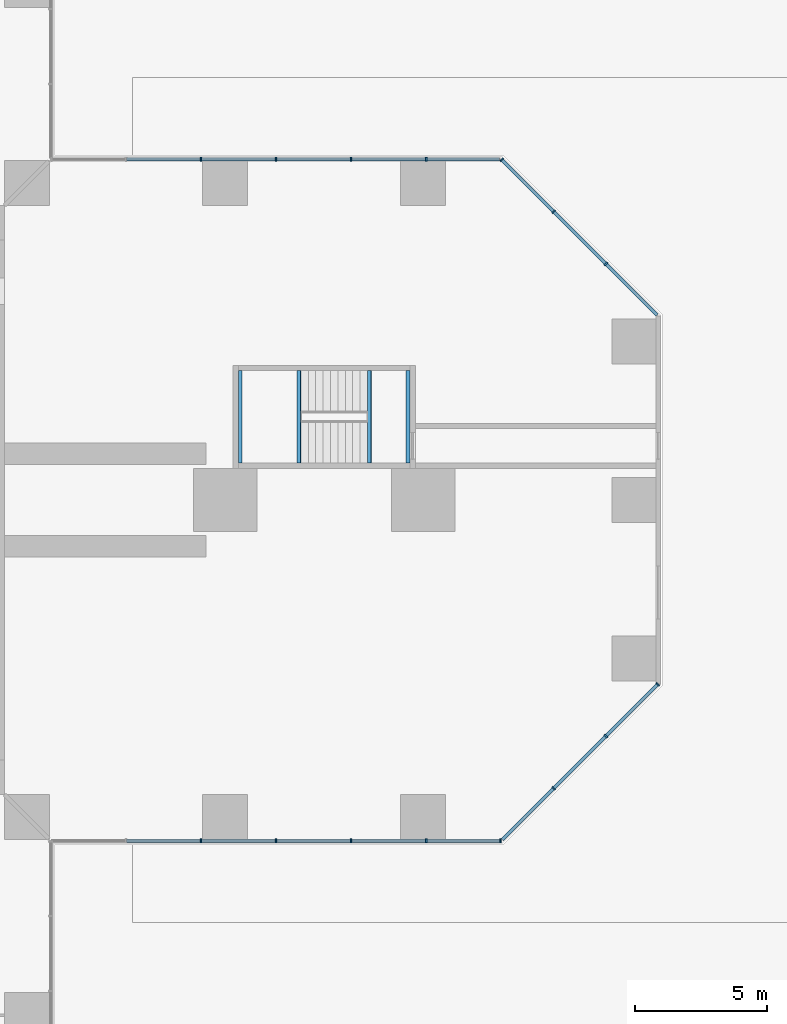
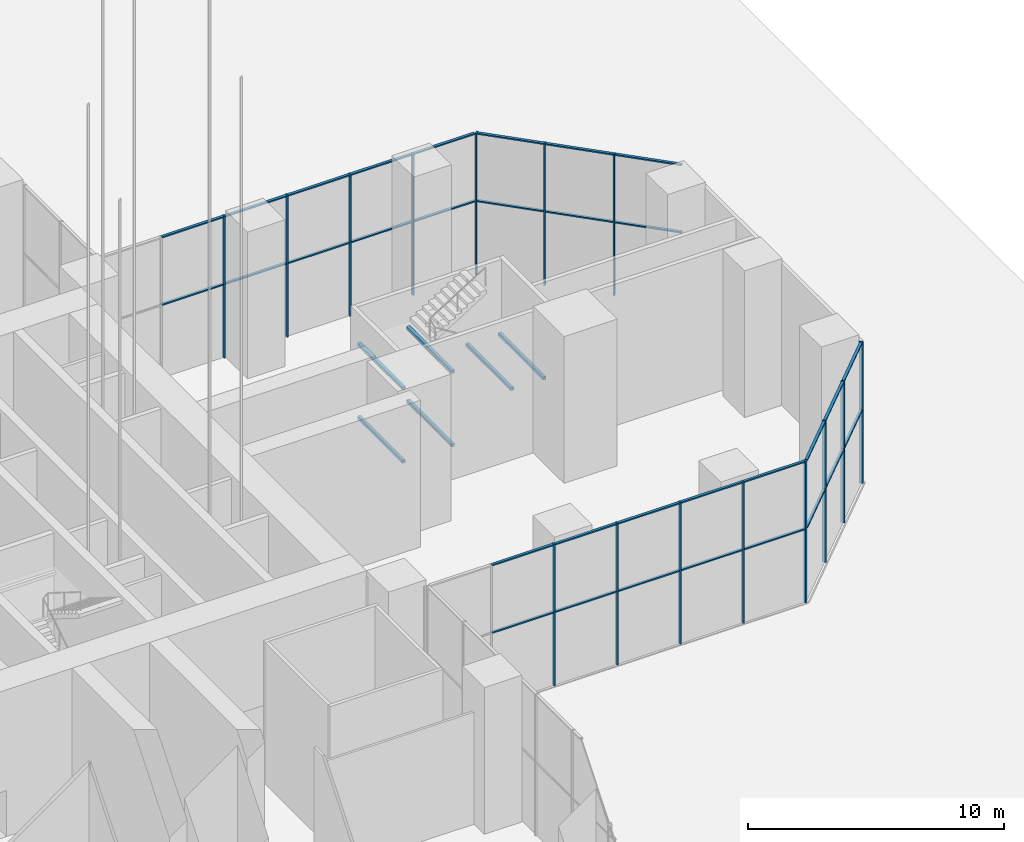
# One storey, part 11 of 43: 47 members, 6 beams, 4 elements without a shape of their own.
"""IFC4 building model written with IfcOpenShell, lengths in metres."""

from ifc_helpers import new_model, si_unit, direction, frame, origin, origin_2d, place, context, subcontext, project, spatial, rectangle, hollow_rectangle, extrude, material, material_profile, profile_set, type_object, element, aggregate, save


model = new_model("IFC4")

# Units and contexts
model_context = context("Model", 3, precision=1e-05, world=origin(), true_north=direction((0.0, 1.0)))
body_context = subcontext(model_context, "Body", "Model", "MODEL_VIEW")
ifc_project = project(units=[si_unit("LENGTHUNIT", "METRE"), si_unit("AREAUNIT", "SQUARE_METRE"), si_unit("VOLUMEUNIT", "CUBIC_METRE"), si_unit("PLANEANGLEUNIT", "RADIAN"), si_unit("MASSUNIT", "GRAM", prefix="KILO")], contexts=[model_context])

# Site, building, storey
site_placement = place(None, origin())
site = spatial("IfcSite", under=ifc_project, at=site_placement, CompositionType="ELEMENT")
building_placement = place(site_placement, origin())
building = spatial("IfcBuilding", under=site, at=building_placement, Name="Mizan Broadcast Tower", CompositionType="ELEMENT")
storey_placement = place(building_placement, origin())
storey = spatial("IfcBuildingStorey", under=building, at=storey_placement, Name="L00", CompositionType="ELEMENT", Elevation=0.0)

# Curtain wall, members
ifc_material_1 = material(Name="Aluminium framed glazing", Category="aluminium")
curtain_wall_type = type_object("IfcCurtainWallType", Name="PODIUM CURTAIN WALL", PredefinedType="USERDEFINED", material=ifc_material_1)
curtain_wall_1_placement = place(storey_placement, origin())
curtain_wall_1 = element("IfcCurtainWall", 1, at=curtain_wall_1_placement, inside=storey, type_object=curtain_wall_type, Name="Podium curtain wall L00 E side", ObjectType="PODIUM CURTAIN WALL", PredefinedType="USERDEFINED")
ifc_material_2 = material(Name="Aluminium, pale anodised", Category="aluminium")
ifc_material_profile_1 = material_profile(ifc_material_2, rectangle(XDim=0.159912109375, YDim=0.06005859375, at=origin_2d()), Name="MULLION 160x60")
ifc_profile_set_1 = profile_set([ifc_material_profile_1], Name="Aluminium, pale anodised")
member_type_1 = type_object("IfcMemberType", Name="INNER SKIN MULLION 60x160", PredefinedType="MULLION", material=ifc_profile_set_1)
member_1_placement = place(storey_placement, frame((18.586181640625, -12.89990234375, 0.0), z_axis=(0.0, 0.0, 1.0), x_axis=(0.0, 1.0, 0.0)))
member_1 = element("IfcMember", 2, at=member_1_placement, type_object=member_type_1, Name="Podium curtain wall L00 E side mullion 3", PredefinedType="MULLION", context=body_context, shape_type="SweptSolid", body=[
    extrude(rectangle(XDim=0.159912109375, YDim=0.06005859375, at=origin_2d()), origin(), (0.0, 0.0, 1.0), 6.75),
])
member_2_placement = place(storey_placement, frame((21.42919921875, -12.89990234375, 0.0), z_axis=(0.0, 0.0, 1.0), x_axis=(0.0, 1.0, 0.0)))
member_2 = element("IfcMember", 3, at=member_2_placement, type_object=member_type_1, Name="Podium curtain wall L00 E side mullion 4", PredefinedType="MULLION", context=body_context, shape_type="SweptSolid", body=[
    extrude(rectangle(XDim=0.159912109375, YDim=0.06005859375, at=origin_2d()), origin(), (0.0, 0.0, 1.0), 6.75),
])
member_3_placement = place(storey_placement, frame((24.2724609375, -12.89990234375, 0.0), z_axis=(0.0, 0.0, 1.0), x_axis=(0.0, 1.0, 0.0)))
member_3 = element("IfcMember", 4, at=member_3_placement, type_object=member_type_1, Name="Podium curtain wall L00 E side mullion 5", PredefinedType="MULLION", context=body_context, shape_type="SweptSolid", body=[
    extrude(rectangle(XDim=0.159912109375, YDim=0.06005859375, at=origin_2d()), origin(), (0.0, 0.0, 1.0), 6.75),
])
member_4_placement = place(storey_placement, frame((27.115478515625, -12.89990234375, 0.0), z_axis=(0.0, 0.0, 1.0), x_axis=(0.0, 1.0, 0.0)))
member_4 = element("IfcMember", 5, at=member_4_placement, type_object=member_type_1, Name="Podium curtain wall L00 E side mullion 6", PredefinedType="MULLION", context=body_context, shape_type="SweptSolid", body=[
    extrude(rectangle(XDim=0.159912109375, YDim=0.06005859375, at=origin_2d()), origin(), (0.0, 0.0, 1.0), 6.75),
])
member_5_placement = place(storey_placement, frame((29.928466796875, -12.89990234375, 0.0), z_axis=(0.0, 0.0, 1.0), x_axis=(0.0, 1.0, 0.0)))
member_5 = element("IfcMember", 6, at=member_5_placement, type_object=member_type_1, Name="Podium curtain wall L00 E side mullion 7", PredefinedType="MULLION", context=body_context, shape_type="SweptSolid", body=[
    extrude(rectangle(XDim=0.159912109375, YDim=0.06005859375, at=origin_2d()), origin(), (0.0, 0.0, 1.0), 6.75),
])

curtain_wall_2_placement = place(storey_placement, origin())
curtain_wall_2 = element("IfcCurtainWall", 7, at=curtain_wall_2_placement, inside=storey, type_object=curtain_wall_type, Name="Podium curtain wall L00 E chamfer", ObjectType="PODIUM CURTAIN WALL", PredefinedType="USERDEFINED")
member_6_placement = place(storey_placement, frame((31.93896484375, -10.91943359375, 0.0), z_axis=(0.0, 0.0, 1.0), x_axis=(-0.707106781187, 0.707106781187, 0.0)))
member_6 = element("IfcMember", 8, at=member_6_placement, type_object=member_type_1, Name="Podium curtain wall L00 E chamfer mullion 2", PredefinedType="MULLION", context=body_context, shape_type="SweptSolid", body=[
    extrude(rectangle(XDim=0.159912109375, YDim=0.06005859375, at=origin_2d()), origin(), (0.0, 0.0, 1.0), 6.75),
])
member_7_placement = place(storey_placement, frame((33.91943359375, -8.93896484375, 0.0), z_axis=(0.0, 0.0, 1.0), x_axis=(-0.707106781187, 0.707106781187, 0.0)))
member_7 = element("IfcMember", 9, at=member_7_placement, type_object=member_type_1, Name="Podium curtain wall L00 E chamfer mullion 3", PredefinedType="MULLION", context=body_context, shape_type="SweptSolid", body=[
    extrude(rectangle(XDim=0.159912109375, YDim=0.06005859375, at=origin_2d()), origin(), (0.0, 0.0, 1.0), 6.75),
])
member_8_placement = place(storey_placement, frame((35.87890625, -6.979736328125, 0.0), z_axis=(0.0, 0.0, 1.0), x_axis=(-0.707106781187, 0.707106781187, 0.0)))
member_8 = element("IfcMember", 10, at=member_8_placement, type_object=member_type_1, Name="Podium curtain wall L00 E chamfer mullion 4", PredefinedType="MULLION", context=body_context, shape_type="SweptSolid", body=[
    extrude(rectangle(XDim=0.159912109375, YDim=0.06005859375, at=origin_2d()), origin(), (0.0, 0.0, 1.0), 6.75),
])

curtain_wall_3_placement = place(storey_placement, origin())
curtain_wall_3 = element("IfcCurtainWall", 11, at=curtain_wall_3_placement, inside=storey, type_object=curtain_wall_type, Name="Podium curtain wall L00 E chamfer", ObjectType="PODIUM CURTAIN WALL", PredefinedType="USERDEFINED")
member_9_placement = place(storey_placement, frame((33.91943359375, 8.93896484375, 0.0), z_axis=(0.0, 0.0, 1.0), x_axis=(-0.707106781187, -0.707106781187, 0.0)))
member_9 = element("IfcMember", 12, at=member_9_placement, type_object=member_type_1, Name="Podium curtain wall L00 E chamfer mullion 2", PredefinedType="MULLION", context=body_context, shape_type="SweptSolid", body=[
    extrude(rectangle(XDim=0.159912109375, YDim=0.06005859375, at=origin_2d()), origin(), (0.0, 0.0, 1.0), 6.75),
])
member_10_placement = place(storey_placement, frame((31.93896484375, 10.91943359375, 0.0), z_axis=(0.0, 0.0, 1.0), x_axis=(-0.707106781187, -0.707106781187, 0.0)))
member_10 = element("IfcMember", 13, at=member_10_placement, type_object=member_type_1, Name="Podium curtain wall L00 E chamfer mullion 3", PredefinedType="MULLION", context=body_context, shape_type="SweptSolid", body=[
    extrude(rectangle(XDim=0.159912109375, YDim=0.06005859375, at=origin_2d()), origin(), (0.0, 0.0, 1.0), 6.75),
])
member_11_placement = place(storey_placement, frame((29.979736328125, 12.87890625, 0.0), z_axis=(0.0, 0.0, 1.0), x_axis=(-0.707106781187, -0.707106781187, 0.0)))
member_11 = element("IfcMember", 14, at=member_11_placement, type_object=member_type_1, Name="Podium curtain wall L00 E chamfer mullion 4", PredefinedType="MULLION", context=body_context, shape_type="SweptSolid", body=[
    extrude(rectangle(XDim=0.159912109375, YDim=0.06005859375, at=origin_2d()), origin(), (0.0, 0.0, 1.0), 6.75),
])

curtain_wall_4_placement = place(storey_placement, origin())
curtain_wall_4 = element("IfcCurtainWall", 15, at=curtain_wall_4_placement, inside=storey, type_object=curtain_wall_type, Name="Podium curtain wall L00 E side", ObjectType="PODIUM CURTAIN WALL", PredefinedType="USERDEFINED")
member_12_placement = place(storey_placement, frame((27.115478515625, 12.89990234375, 0.0), z_axis=(0.0, 0.0, 1.0), x_axis=(0.0, -1.0, 0.0)))
member_12 = element("IfcMember", 16, at=member_12_placement, type_object=member_type_1, Name="Podium curtain wall L00 E side mullion 2", PredefinedType="MULLION", context=body_context, shape_type="SweptSolid", body=[
    extrude(rectangle(XDim=0.159912109375, YDim=0.06005859375, at=origin_2d()), origin(), (0.0, 0.0, 1.0), 6.75),
])
member_13_placement = place(storey_placement, frame((24.2724609375, 12.89990234375, 0.0), z_axis=(0.0, 0.0, 1.0), x_axis=(0.0, -1.0, 0.0)))
member_13 = element("IfcMember", 17, at=member_13_placement, type_object=member_type_1, Name="Podium curtain wall L00 E side mullion 3", PredefinedType="MULLION", context=body_context, shape_type="SweptSolid", body=[
    extrude(rectangle(XDim=0.159912109375, YDim=0.06005859375, at=origin_2d()), origin(), (0.0, 0.0, 1.0), 6.75),
])
member_14_placement = place(storey_placement, frame((21.42919921875, 12.89990234375, 0.0), z_axis=(0.0, 0.0, 1.0), x_axis=(0.0, -1.0, 0.0)))
member_14 = element("IfcMember", 18, at=member_14_placement, type_object=member_type_1, Name="Podium curtain wall L00 E side mullion 4", PredefinedType="MULLION", context=body_context, shape_type="SweptSolid", body=[
    extrude(rectangle(XDim=0.159912109375, YDim=0.06005859375, at=origin_2d()), origin(), (0.0, 0.0, 1.0), 6.75),
])
member_15_placement = place(storey_placement, frame((18.586181640625, 12.89990234375, 0.0), z_axis=(0.0, 0.0, 1.0), x_axis=(0.0, -1.0, 0.0)))
member_15 = element("IfcMember", 19, at=member_15_placement, type_object=member_type_1, Name="Podium curtain wall L00 E side mullion 5", PredefinedType="MULLION", context=body_context, shape_type="SweptSolid", body=[
    extrude(rectangle(XDim=0.159912109375, YDim=0.06005859375, at=origin_2d()), origin(), (0.0, 0.0, 1.0), 6.75),
])

# Member
ifc_material_3 = material(Name="Aluminium, pale anodised", Category="aluminium")
ifc_material_profile_2 = material_profile(ifc_material_3, rectangle(XDim=0.1201171875, YDim=0.06005859375, at=origin_2d()), Name="TRANSOM 120x60")
ifc_profile_set_2 = profile_set([ifc_material_profile_2], Name="Aluminium, pale anodised")
member_type_2 = type_object("IfcMemberType", Name="INNER SKIN TRANSOM 60x120", PredefinedType="USERDEFINED", material=ifc_profile_set_2)
member_16_placement = place(storey_placement, frame((15.773193359375, -12.89990234375, 3.5), z_axis=(1.0, 0.0, 0.0), x_axis=(0.0, 1.0, 0.0)))
member_16 = element("IfcMember", 20, at=member_16_placement, type_object=member_type_2, Name="Podium curtain wall L00 E side transom 2.1", ObjectType="TRANSOM", PredefinedType="USERDEFINED", context=body_context, shape_type="SweptSolid", body=[
    extrude(rectangle(XDim=0.1201171875, YDim=0.06005859375, at=origin_2d()), origin(), (0.0, 0.0, 1.0), 2.782958984375),
])

member_17_placement = place(storey_placement, frame((15.773193359375, -12.89990234375, 6.719970703125), z_axis=(1.0, 0.0, 0.0), x_axis=(0.0, 1.0, 0.0)))
member_17 = element("IfcMember", 21, at=member_17_placement, type_object=member_type_2, Name="Podium curtain wall L00 E side transom 2.2", ObjectType="TRANSOM", PredefinedType="USERDEFINED", context=body_context, shape_type="SweptSolid", body=[
    extrude(rectangle(XDim=0.1201171875, YDim=0.06005859375, at=origin_2d()), origin(), (0.0, 0.0, 1.0), 2.782958984375),
])

member_18_placement = place(storey_placement, frame((18.6162109375, -12.89990234375, 3.5), z_axis=(1.0, 0.0, 0.0), x_axis=(0.0, 1.0, 0.0)))
member_18 = element("IfcMember", 22, at=member_18_placement, type_object=member_type_2, Name="Podium curtain wall L00 E side transom 3.1", ObjectType="TRANSOM", PredefinedType="USERDEFINED", context=body_context, shape_type="SweptSolid", body=[
    extrude(rectangle(XDim=0.1201171875, YDim=0.06005859375, at=origin_2d()), origin(), (0.0, 0.0, 1.0), 2.782958984375),
])

member_19_placement = place(storey_placement, frame((18.6162109375, -12.89990234375, 6.719970703125), z_axis=(1.0, 0.0, 0.0), x_axis=(0.0, 1.0, 0.0)))
member_19 = element("IfcMember", 23, at=member_19_placement, type_object=member_type_2, Name="Podium curtain wall L00 E side transom 3.2", ObjectType="TRANSOM", PredefinedType="USERDEFINED", context=body_context, shape_type="SweptSolid", body=[
    extrude(rectangle(XDim=0.1201171875, YDim=0.06005859375, at=origin_2d()), origin(), (0.0, 0.0, 1.0), 2.782958984375),
])

member_20_placement = place(storey_placement, frame((21.459228515625, -12.89990234375, 3.5), z_axis=(1.0, 0.0, 0.0), x_axis=(0.0, 1.0, 0.0)))
member_20 = element("IfcMember", 24, at=member_20_placement, type_object=member_type_2, Name="Podium curtain wall L00 E side transom 4.1", ObjectType="TRANSOM", PredefinedType="USERDEFINED", context=body_context, shape_type="SweptSolid", body=[
    extrude(rectangle(XDim=0.1201171875, YDim=0.06005859375, at=origin_2d()), origin(), (0.0, 0.0, 1.0), 2.783203125),
])

member_21_placement = place(storey_placement, frame((21.459228515625, -12.89990234375, 6.719970703125), z_axis=(1.0, 0.0, 0.0), x_axis=(0.0, 1.0, 0.0)))
member_21 = element("IfcMember", 25, at=member_21_placement, type_object=member_type_2, Name="Podium curtain wall L00 E side transom 4.2", ObjectType="TRANSOM", PredefinedType="USERDEFINED", context=body_context, shape_type="SweptSolid", body=[
    extrude(rectangle(XDim=0.1201171875, YDim=0.06005859375, at=origin_2d()), origin(), (0.0, 0.0, 1.0), 2.783203125),
])

member_22_placement = place(storey_placement, frame((24.302490234375, -12.89990234375, 3.5), z_axis=(1.0, 0.0, 0.0), x_axis=(0.0, 1.0, 0.0)))
member_22 = element("IfcMember", 26, at=member_22_placement, type_object=member_type_2, Name="Podium curtain wall L00 E side transom 5.1", ObjectType="TRANSOM", PredefinedType="USERDEFINED", context=body_context, shape_type="SweptSolid", body=[
    extrude(rectangle(XDim=0.1201171875, YDim=0.06005859375, at=origin_2d()), origin(), (0.0, 0.0, 1.0), 2.782958984375),
])

member_23_placement = place(storey_placement, frame((24.302490234375, -12.89990234375, 6.719970703125), z_axis=(1.0, 0.0, 0.0), x_axis=(0.0, 1.0, 0.0)))
member_23 = element("IfcMember", 27, at=member_23_placement, type_object=member_type_2, Name="Podium curtain wall L00 E side transom 5.2", ObjectType="TRANSOM", PredefinedType="USERDEFINED", context=body_context, shape_type="SweptSolid", body=[
    extrude(rectangle(XDim=0.1201171875, YDim=0.06005859375, at=origin_2d()), origin(), (0.0, 0.0, 1.0), 2.782958984375),
])

member_24_placement = place(storey_placement, frame((27.1455078125, -12.89990234375, 3.5), z_axis=(1.0, 0.0, 0.0), x_axis=(0.0, 1.0, 0.0)))
member_24 = element("IfcMember", 28, at=member_24_placement, type_object=member_type_2, Name="Podium curtain wall L00 E side transom 6.1", ObjectType="TRANSOM", PredefinedType="USERDEFINED", context=body_context, shape_type="SweptSolid", body=[
    extrude(rectangle(XDim=0.1201171875, YDim=0.06005859375, at=origin_2d()), origin(), (0.0, 0.0, 1.0), 2.753173828125),
])

member_25_placement = place(storey_placement, frame((27.1455078125, -12.89990234375, 6.719970703125), z_axis=(1.0, 0.0, 0.0), x_axis=(0.0, 1.0, 0.0)))
member_25 = element("IfcMember", 29, at=member_25_placement, type_object=member_type_2, Name="Podium curtain wall L00 E side transom 6.2", ObjectType="TRANSOM", PredefinedType="USERDEFINED", context=body_context, shape_type="SweptSolid", body=[
    extrude(rectangle(XDim=0.1201171875, YDim=0.06005859375, at=origin_2d()), origin(), (0.0, 0.0, 1.0), 2.753173828125),
])

aggregate(curtain_wall_1, [member_1, member_2, member_3, member_4, member_5, member_16, member_17, member_18, member_19, member_20, member_21, member_22, member_23, member_24, member_25])

member_26_placement = place(storey_placement, frame((30.0009765625, -12.857666015625, 3.5), z_axis=(0.707061749709, 0.707151809797, 0.0), x_axis=(-0.707151809797, 0.707061749709, 0.0)))
member_26 = element("IfcMember", 30, at=member_26_placement, type_object=member_type_2, Name="Podium curtain wall L00 E chamfer transom 1.1", ObjectType="TRANSOM", PredefinedType="USERDEFINED", context=body_context, shape_type="SweptSolid", body=[
    extrude(rectangle(XDim=0.1201171875, YDim=0.06005859375, at=origin_2d()), origin(), (0.0, 0.0, 1.0), 2.7109375),
])

member_27_placement = place(storey_placement, frame((30.0009765625, -12.857666015625, 6.719970703125), z_axis=(0.707061749709, 0.707151809797, 0.0), x_axis=(-0.707151809797, 0.707061749709, 0.0)))
member_27 = element("IfcMember", 31, at=member_27_placement, type_object=member_type_2, Name="Podium curtain wall L00 E chamfer transom 1.2", ObjectType="TRANSOM", PredefinedType="USERDEFINED", context=body_context, shape_type="SweptSolid", body=[
    extrude(rectangle(XDim=0.1201171875, YDim=0.06005859375, at=origin_2d()), origin(), (0.0, 0.0, 1.0), 2.7109375),
])

member_28_placement = place(storey_placement, frame((31.960205078125, -10.898193359375, 3.5), z_axis=(0.707106781187, 0.707106781187, 0.0), x_axis=(-0.707106781187, 0.707106781187, 0.0)))
member_28 = element("IfcMember", 32, at=member_28_placement, type_object=member_type_2, Name="Podium curtain wall L00 E chamfer transom 2.1", ObjectType="TRANSOM", PredefinedType="USERDEFINED", context=body_context, shape_type="SweptSolid", body=[
    extrude(rectangle(XDim=0.1201171875, YDim=0.06005859375, at=origin_2d()), origin(), (0.0, 0.0, 1.0), 2.74072265625),
])

member_29_placement = place(storey_placement, frame((31.960205078125, -10.898193359375, 6.719970703125), z_axis=(0.707106781187, 0.707106781187, 0.0), x_axis=(-0.707106781187, 0.707106781187, 0.0)))
member_29 = element("IfcMember", 33, at=member_29_placement, type_object=member_type_2, Name="Podium curtain wall L00 E chamfer transom 2.2", ObjectType="TRANSOM", PredefinedType="USERDEFINED", context=body_context, shape_type="SweptSolid", body=[
    extrude(rectangle(XDim=0.1201171875, YDim=0.06005859375, at=origin_2d()), origin(), (0.0, 0.0, 1.0), 2.74072265625),
])

member_30_placement = place(storey_placement, frame((33.940673828125, -8.917724609375, 3.5), z_axis=(0.707151809797, 0.707061749709, 0.0), x_axis=(-0.707061749709, 0.707151809797, 0.0)))
member_30 = element("IfcMember", 34, at=member_30_placement, type_object=member_type_2, Name="Podium curtain wall L00 E chamfer transom 3.1", ObjectType="TRANSOM", PredefinedType="USERDEFINED", context=body_context, shape_type="SweptSolid", body=[
    extrude(rectangle(XDim=0.1201171875, YDim=0.06005859375, at=origin_2d()), origin(), (0.0, 0.0, 1.0), 2.7109375),
])

member_31_placement = place(storey_placement, frame((33.940673828125, -8.917724609375, 6.719970703125), z_axis=(0.707151809797, 0.707061749709, 0.0), x_axis=(-0.707061749709, 0.707151809797, 0.0)))
member_31 = element("IfcMember", 35, at=member_31_placement, type_object=member_type_2, Name="Podium curtain wall L00 E chamfer transom 3.2", ObjectType="TRANSOM", PredefinedType="USERDEFINED", context=body_context, shape_type="SweptSolid", body=[
    extrude(rectangle(XDim=0.1201171875, YDim=0.06005859375, at=origin_2d()), origin(), (0.0, 0.0, 1.0), 2.7109375),
])

aggregate(curtain_wall_2, [member_6, member_7, member_8, member_26, member_27, member_28, member_29, member_30, member_31])

member_32_placement = place(storey_placement, frame((35.857666015625, 7.0009765625, 3.5), z_axis=(-0.707151809797, 0.707061749709, 0.0), x_axis=(-0.707061749709, -0.707151809797, 0.0)))
member_32 = element("IfcMember", 36, at=member_32_placement, type_object=member_type_2, Name="Podium curtain wall L00 E chamfer transom 1.1", ObjectType="TRANSOM", PredefinedType="USERDEFINED", context=body_context, shape_type="SweptSolid", body=[
    extrude(rectangle(XDim=0.1201171875, YDim=0.06005859375, at=origin_2d()), origin(), (0.0, 0.0, 1.0), 2.7109375),
])

member_33_placement = place(storey_placement, frame((35.857666015625, 7.0009765625, 6.719970703125), z_axis=(-0.707151809797, 0.707061749709, 0.0), x_axis=(-0.707061749709, -0.707151809797, 0.0)))
member_33 = element("IfcMember", 37, at=member_33_placement, type_object=member_type_2, Name="Podium curtain wall L00 E chamfer transom 1.2", ObjectType="TRANSOM", PredefinedType="USERDEFINED", context=body_context, shape_type="SweptSolid", body=[
    extrude(rectangle(XDim=0.1201171875, YDim=0.06005859375, at=origin_2d()), origin(), (0.0, 0.0, 1.0), 2.7109375),
])

member_34_placement = place(storey_placement, frame((33.898193359375, 8.960205078125, 3.5), z_axis=(-0.707106781187, 0.707106781187, 0.0), x_axis=(-0.707106781187, -0.707106781187, 0.0)))
member_34 = element("IfcMember", 38, at=member_34_placement, type_object=member_type_2, Name="Podium curtain wall L00 E chamfer transom 2.1", ObjectType="TRANSOM", PredefinedType="USERDEFINED", context=body_context, shape_type="SweptSolid", body=[
    extrude(rectangle(XDim=0.1201171875, YDim=0.06005859375, at=origin_2d()), origin(), (0.0, 0.0, 1.0), 2.74072265625),
])

member_35_placement = place(storey_placement, frame((33.898193359375, 8.960205078125, 6.719970703125), z_axis=(-0.707106781187, 0.707106781187, 0.0), x_axis=(-0.707106781187, -0.707106781187, 0.0)))
member_35 = element("IfcMember", 39, at=member_35_placement, type_object=member_type_2, Name="Podium curtain wall L00 E chamfer transom 2.2", ObjectType="TRANSOM", PredefinedType="USERDEFINED", context=body_context, shape_type="SweptSolid", body=[
    extrude(rectangle(XDim=0.1201171875, YDim=0.06005859375, at=origin_2d()), origin(), (0.0, 0.0, 1.0), 2.74072265625),
])

member_36_placement = place(storey_placement, frame((31.917724609375, 10.940673828125, 3.5), z_axis=(-0.707061749709, 0.707151809797, 0.0), x_axis=(-0.707151809797, -0.707061749709, 0.0)))
member_36 = element("IfcMember", 40, at=member_36_placement, type_object=member_type_2, Name="Podium curtain wall L00 E chamfer transom 3.1", ObjectType="TRANSOM", PredefinedType="USERDEFINED", context=body_context, shape_type="SweptSolid", body=[
    extrude(rectangle(XDim=0.1201171875, YDim=0.06005859375, at=origin_2d()), origin(), (0.0, 0.0, 1.0), 2.7109375),
])

member_37_placement = place(storey_placement, frame((31.917724609375, 10.940673828125, 6.719970703125), z_axis=(-0.707061749709, 0.707151809797, 0.0), x_axis=(-0.707151809797, -0.707061749709, 0.0)))
member_37 = element("IfcMember", 41, at=member_37_placement, type_object=member_type_2, Name="Podium curtain wall L00 E chamfer transom 3.2", ObjectType="TRANSOM", PredefinedType="USERDEFINED", context=body_context, shape_type="SweptSolid", body=[
    extrude(rectangle(XDim=0.1201171875, YDim=0.06005859375, at=origin_2d()), origin(), (0.0, 0.0, 1.0), 2.7109375),
])

aggregate(curtain_wall_3, [member_9, member_10, member_11, member_32, member_33, member_34, member_35, member_36, member_37])

member_38_placement = place(storey_placement, frame((29.898681640625, 12.89990234375, 3.5), z_axis=(-1.0, 0.0, 0.0), x_axis=(0.0, -1.0, 0.0)))
member_38 = element("IfcMember", 42, at=member_38_placement, type_object=member_type_2, Name="Podium curtain wall L00 E side transom 1.1", ObjectType="TRANSOM", PredefinedType="USERDEFINED", context=body_context, shape_type="SweptSolid", body=[
    extrude(rectangle(XDim=0.1201171875, YDim=0.06005859375, at=origin_2d()), origin(), (0.0, 0.0, 1.0), 2.753173828125),
])

member_39_placement = place(storey_placement, frame((29.898681640625, 12.89990234375, 6.719970703125), z_axis=(-1.0, 0.0, 0.0), x_axis=(0.0, -1.0, 0.0)))
member_39 = element("IfcMember", 43, at=member_39_placement, type_object=member_type_2, Name="Podium curtain wall L00 E side transom 1.2", ObjectType="TRANSOM", PredefinedType="USERDEFINED", context=body_context, shape_type="SweptSolid", body=[
    extrude(rectangle(XDim=0.1201171875, YDim=0.06005859375, at=origin_2d()), origin(), (0.0, 0.0, 1.0), 2.753173828125),
])

member_40_placement = place(storey_placement, frame((27.08544921875, 12.89990234375, 3.5), z_axis=(-1.0, 0.0, 0.0), x_axis=(0.0, -1.0, 0.0)))
member_40 = element("IfcMember", 44, at=member_40_placement, type_object=member_type_2, Name="Podium curtain wall L00 E side transom 2.1", ObjectType="TRANSOM", PredefinedType="USERDEFINED", context=body_context, shape_type="SweptSolid", body=[
    extrude(rectangle(XDim=0.1201171875, YDim=0.06005859375, at=origin_2d()), origin(), (0.0, 0.0, 1.0), 2.782958984375),
])

member_41_placement = place(storey_placement, frame((27.08544921875, 12.89990234375, 6.719970703125), z_axis=(-1.0, 0.0, 0.0), x_axis=(0.0, -1.0, 0.0)))
member_41 = element("IfcMember", 45, at=member_41_placement, type_object=member_type_2, Name="Podium curtain wall L00 E side transom 2.2", ObjectType="TRANSOM", PredefinedType="USERDEFINED", context=body_context, shape_type="SweptSolid", body=[
    extrude(rectangle(XDim=0.1201171875, YDim=0.06005859375, at=origin_2d()), origin(), (0.0, 0.0, 1.0), 2.782958984375),
])

member_42_placement = place(storey_placement, frame((24.242431640625, 12.89990234375, 3.5), z_axis=(-1.0, 0.0, 0.0), x_axis=(0.0, -1.0, 0.0)))
member_42 = element("IfcMember", 46, at=member_42_placement, type_object=member_type_2, Name="Podium curtain wall L00 E side transom 3.1", ObjectType="TRANSOM", PredefinedType="USERDEFINED", context=body_context, shape_type="SweptSolid", body=[
    extrude(rectangle(XDim=0.1201171875, YDim=0.06005859375, at=origin_2d()), origin(), (0.0, 0.0, 1.0), 2.783203125),
])

member_43_placement = place(storey_placement, frame((24.242431640625, 12.89990234375, 6.719970703125), z_axis=(-1.0, 0.0, 0.0), x_axis=(0.0, -1.0, 0.0)))
member_43 = element("IfcMember", 47, at=member_43_placement, type_object=member_type_2, Name="Podium curtain wall L00 E side transom 3.2", ObjectType="TRANSOM", PredefinedType="USERDEFINED", context=body_context, shape_type="SweptSolid", body=[
    extrude(rectangle(XDim=0.1201171875, YDim=0.06005859375, at=origin_2d()), origin(), (0.0, 0.0, 1.0), 2.783203125),
])

member_44_placement = place(storey_placement, frame((21.399169921875, 12.89990234375, 3.5), z_axis=(-1.0, 0.0, 0.0), x_axis=(0.0, -1.0, 0.0)))
member_44 = element("IfcMember", 48, at=member_44_placement, type_object=member_type_2, Name="Podium curtain wall L00 E side transom 4.1", ObjectType="TRANSOM", PredefinedType="USERDEFINED", context=body_context, shape_type="SweptSolid", body=[
    extrude(rectangle(XDim=0.1201171875, YDim=0.06005859375, at=origin_2d()), origin(), (0.0, 0.0, 1.0), 2.782958984375),
])

member_45_placement = place(storey_placement, frame((21.399169921875, 12.89990234375, 6.719970703125), z_axis=(-1.0, 0.0, 0.0), x_axis=(0.0, -1.0, 0.0)))
member_45 = element("IfcMember", 49, at=member_45_placement, type_object=member_type_2, Name="Podium curtain wall L00 E side transom 4.2", ObjectType="TRANSOM", PredefinedType="USERDEFINED", context=body_context, shape_type="SweptSolid", body=[
    extrude(rectangle(XDim=0.1201171875, YDim=0.06005859375, at=origin_2d()), origin(), (0.0, 0.0, 1.0), 2.782958984375),
])

member_46_placement = place(storey_placement, frame((18.55615234375, 12.89990234375, 3.5), z_axis=(-1.0, 0.0, 0.0), x_axis=(0.0, -1.0, 0.0)))
member_46 = element("IfcMember", 50, at=member_46_placement, type_object=member_type_2, Name="Podium curtain wall L00 E side transom 5.1", ObjectType="TRANSOM", PredefinedType="USERDEFINED", context=body_context, shape_type="SweptSolid", body=[
    extrude(rectangle(XDim=0.1201171875, YDim=0.06005859375, at=origin_2d()), origin(), (0.0, 0.0, 1.0), 2.782958984375),
])

member_47_placement = place(storey_placement, frame((18.55615234375, 12.89990234375, 6.719970703125), z_axis=(-1.0, 0.0, 0.0), x_axis=(0.0, -1.0, 0.0)))
member_47 = element("IfcMember", 51, at=member_47_placement, type_object=member_type_2, Name="Podium curtain wall L00 E side transom 5.2", ObjectType="TRANSOM", PredefinedType="USERDEFINED", context=body_context, shape_type="SweptSolid", body=[
    extrude(rectangle(XDim=0.1201171875, YDim=0.06005859375, at=origin_2d()), origin(), (0.0, 0.0, 1.0), 2.782958984375),
])

aggregate(curtain_wall_4, [member_12, member_13, member_14, member_15, member_38, member_39, member_40, member_41, member_42, member_43, member_44, member_45, member_46, member_47])

# Beams
ifc_material_4 = material(Name="Steel S355", Category="steel")
ifc_material_profile_3 = material_profile(ifc_material_4, hollow_rectangle(XDim=0.14990234375, YDim=0.14990234375, WallThickness=0.008056640625, InnerFilletRadius=0.008056640625, OuterFilletRadius=0.011962890625, at=origin_2d()), Name="SHS 150x150x8")
ifc_profile_set_3 = profile_set([ifc_material_profile_3], Name="Steel S355")
beam_type = type_object("IfcBeamType", Name="LANDING TRIMMER SHS 150x150x8", PredefinedType="BEAM", material=ifc_profile_set_3)
for number, where, z_axis, x_axis, name in (
    (52, (22.294921875, 1.39990234375, 1.47509765625), (0.0, 1.0, 0.0), (-1.0, 0.0, 0.0), "Stair C landing trimmer L00"),
    (53, (20.074951171875, 1.39990234375, 1.47509765625), (0.0, 1.0, 0.0), (-1.0, 0.0, 0.0), "Stair C landing trimmer L00"),
    (54, (26.425048828125, 1.39990234375, 3.22509765625), (0.0, 1.0, 0.0), (-1.0, 0.0, 0.0), "Stair C landing trimmer L00"),
    (55, (24.965087890625, 1.39990234375, 3.22509765625), (0.0, 1.0, 0.0), (-1.0, 0.0, 0.0), "Stair C landing trimmer L00"),
    (56, (22.294921875, 1.39990234375, 4.97509765625), (0.0, 1.0, 0.0), (-1.0, 0.0, 0.0), "Stair C landing trimmer L00"),
    (57, (20.074951171875, 1.39990234375, 4.97509765625), (0.0, 1.0, 0.0), (-1.0, 0.0, 0.0), "Stair C landing trimmer L00"),
):
    element("IfcBeam", number, at=place(storey_placement, frame(where, z_axis=z_axis, x_axis=x_axis)), inside=storey, type_object=beam_type, Name=name, PredefinedType="BEAM", context=body_context, shape_type="SweptSolid", body=[
        extrude(hollow_rectangle(XDim=0.14990234375, YDim=0.14990234375, WallThickness=0.008056640625, InnerFilletRadius=0.008056640625, OuterFilletRadius=0.011962890625, at=origin_2d()), origin(), (0.0, 0.0, 1.0), 3.5),
    ])

save(model, "model.ifc")
